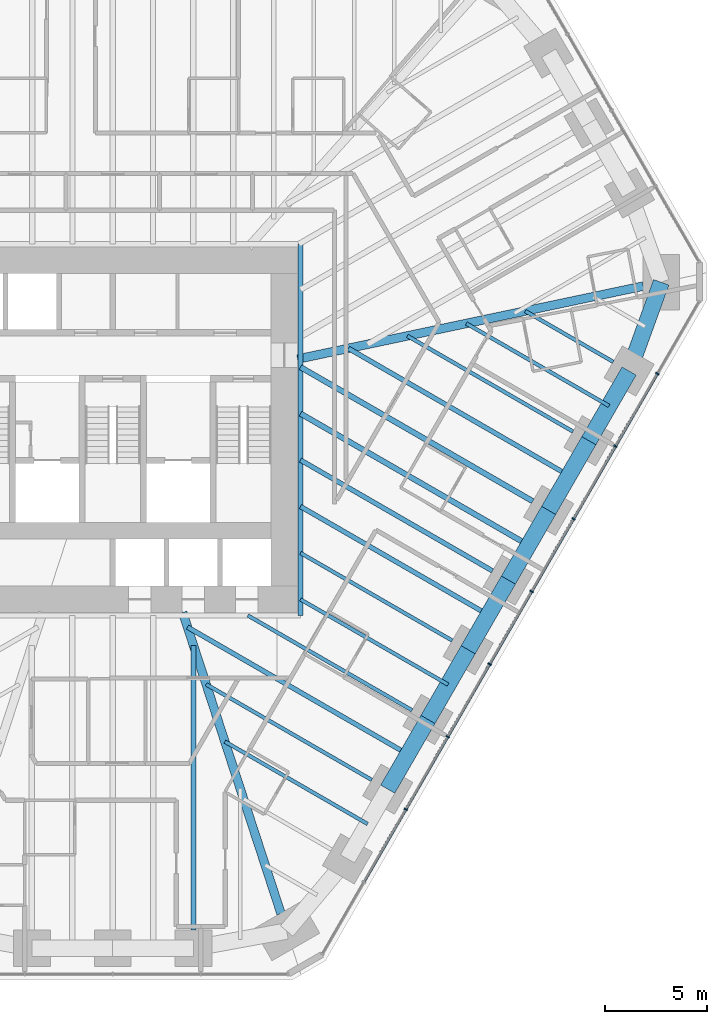
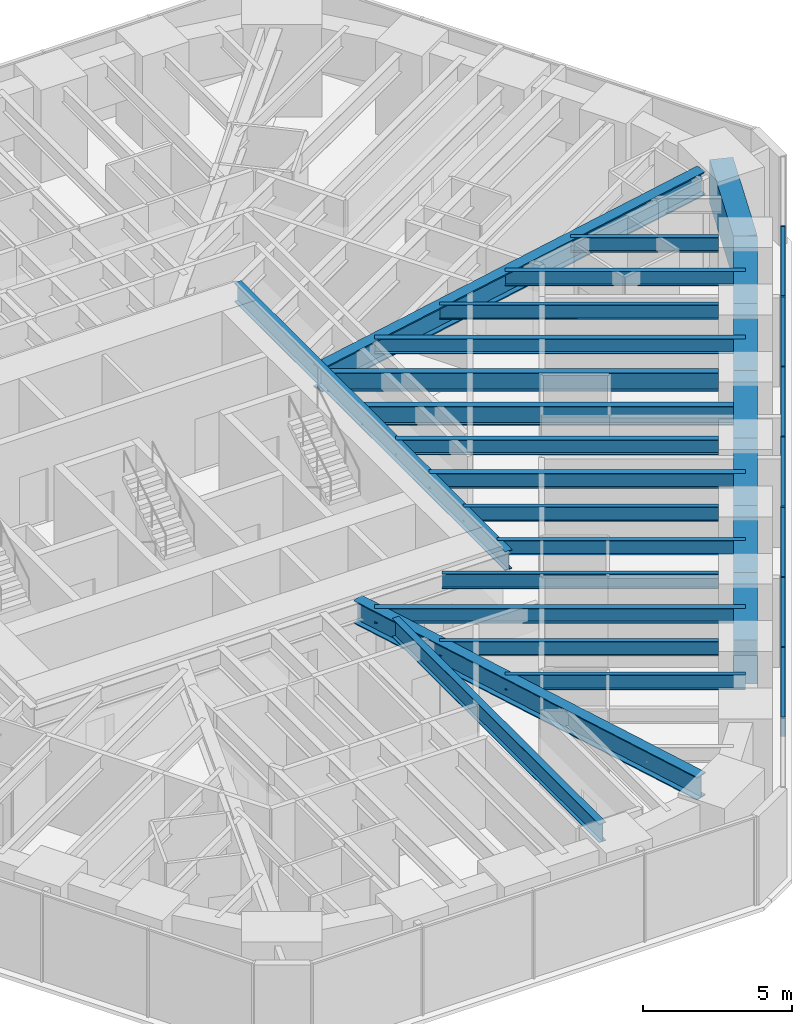
# One storey, part 5 of 17: 25 beams, 14 members, 1 element without a shape of its own.
"""IFC4 building model written with IfcOpenShell, lengths in metres."""

from ifc_helpers import new_model, si_unit, direction, frame, origin, origin_2d, place, context, subcontext, project, spatial, rectangle, i_section, extrude, material, material_profile, profile_set, type_object, element, aggregate, save


model = new_model("IFC4")

# Units and contexts
model_context = context("Model", 3, precision=1e-05, world=origin(), true_north=direction((0.0, 1.0)))
body_context = subcontext(model_context, "Body", "Model", "MODEL_VIEW")
ifc_project = project(units=[si_unit("LENGTHUNIT", "METRE"), si_unit("AREAUNIT", "SQUARE_METRE"), si_unit("VOLUMEUNIT", "CUBIC_METRE"), si_unit("PLANEANGLEUNIT", "RADIAN"), si_unit("MASSUNIT", "GRAM", prefix="KILO")], contexts=[model_context])

# Site, building, storey
site_placement = place(None, origin())
site = spatial("IfcSite", under=ifc_project, at=site_placement, CompositionType="ELEMENT")
building_placement = place(site_placement, origin())
building = spatial("IfcBuilding", under=site, at=building_placement, Name="Sandreach Pilgrim Tower", CompositionType="ELEMENT")
storey_placement = place(building_placement, frame((0.0, 0.0, 123.39990234375)))
storey = spatial("IfcBuildingStorey", under=building, at=storey_placement, Name="L30", CompositionType="ELEMENT", Elevation=123.39990234375)

# Curtain wall, members
ifc_material_1 = material(Name="Aluminium framed curtain wall", Category="aluminium")
curtain_wall_type = type_object("IfcCurtainWallType", Name="Hotel tower curtain wall", PredefinedType="NOTDEFINED", material=ifc_material_1)
curtain_wall_placement = place(storey_placement, origin())
curtain_wall = element("IfcCurtainWall", 1, at=curtain_wall_placement, inside=storey, type_object=curtain_wall_type, Name="CW-2 L30 SE", PredefinedType="NOTDEFINED")
ifc_material_2 = material(Name="Aluminium extrusion", Category="aluminium")
ifc_material_profile_1 = material_profile(ifc_material_2, rectangle(XDim=0.06494140625, YDim=0.179931640625, at=origin_2d()), Name="CW-2M 65X180")
ifc_profile_set_1 = profile_set([ifc_material_profile_1], Name="Aluminium extrusion")
member_type_1 = type_object("IfcMemberType", Name="CW-2 mullion", PredefinedType="MULLION", material=ifc_profile_set_1)
member_1_placement = place(storey_placement, frame((26.66748046875, 1.20166015625, 0.0), z_axis=(0.0, 0.0, 1.0), x_axis=(-0.5, -0.866025403784, 0.0)))
member_1 = element("IfcMember", 2, at=member_1_placement, type_object=member_type_1, Name="CW-2 mullion 2", PredefinedType="MULLION", context=body_context, shape_type="SweptSolid", body=[
    extrude(rectangle(XDim=0.06494140625, YDim=0.179931640625, at=origin_2d()), origin(), (0.0, 0.0, 1.0), 3.64013671875),
])
member_2_placement = place(storey_placement, frame((24.614013671875, -2.35498046875, 0.0), z_axis=(0.0, 0.0, 1.0), x_axis=(-0.5, -0.866025403784, 0.0)))
member_2 = element("IfcMember", 3, at=member_2_placement, type_object=member_type_1, Name="CW-2 mullion 3", PredefinedType="MULLION", context=body_context, shape_type="SweptSolid", body=[
    extrude(rectangle(XDim=0.06494140625, YDim=0.179931640625, at=origin_2d()), origin(), (0.0, 0.0, 1.0), 3.64013671875),
])
member_3_placement = place(storey_placement, frame((22.560302734375, -5.911865234375, 0.0), z_axis=(0.0, 0.0, 1.0), x_axis=(-0.5, -0.866025403784, 0.0)))
member_3 = element("IfcMember", 4, at=member_3_placement, type_object=member_type_1, Name="CW-2 mullion 4", PredefinedType="MULLION", context=body_context, shape_type="SweptSolid", body=[
    extrude(rectangle(XDim=0.06494140625, YDim=0.179931640625, at=origin_2d()), origin(), (0.0, 0.0, 1.0), 3.64013671875),
])
member_4_placement = place(storey_placement, frame((20.5068359375, -9.468505859375, 0.0), z_axis=(0.0, 0.0, 1.0), x_axis=(-0.5, -0.866025403784, 0.0)))
member_4 = element("IfcMember", 5, at=member_4_placement, type_object=member_type_1, Name="CW-2 mullion 5", PredefinedType="MULLION", context=body_context, shape_type="SweptSolid", body=[
    extrude(rectangle(XDim=0.06494140625, YDim=0.179931640625, at=origin_2d()), origin(), (0.0, 0.0, 1.0), 3.64013671875),
])
member_5_placement = place(storey_placement, frame((18.453369140625, -13.025146484375, 0.0), z_axis=(0.0, 0.0, 1.0), x_axis=(-0.5, -0.866025403784, 0.0)))
member_5 = element("IfcMember", 6, at=member_5_placement, type_object=member_type_1, Name="CW-2 mullion 6", PredefinedType="MULLION", context=body_context, shape_type="SweptSolid", body=[
    extrude(rectangle(XDim=0.06494140625, YDim=0.179931640625, at=origin_2d()), origin(), (0.0, 0.0, 1.0), 3.64013671875),
])
member_6_placement = place(storey_placement, frame((16.39990234375, -16.58203125, 0.0), z_axis=(0.0, 0.0, 1.0), x_axis=(-0.5, -0.866025403784, 0.0)))
member_6 = element("IfcMember", 7, at=member_6_placement, type_object=member_type_1, Name="CW-2 mullion 7", PredefinedType="MULLION", context=body_context, shape_type="SweptSolid", body=[
    extrude(rectangle(XDim=0.06494140625, YDim=0.179931640625, at=origin_2d()), origin(), (0.0, 0.0, 1.0), 3.64013671875),
])
member_7_placement = place(storey_placement, frame((14.346435546875, -20.138671875, 0.0), z_axis=(0.0, 0.0, 1.0), x_axis=(-0.5, -0.866025403784, 0.0)))
member_7 = element("IfcMember", 8, at=member_7_placement, type_object=member_type_1, Name="CW-2 mullion 8", PredefinedType="MULLION", context=body_context, shape_type="SweptSolid", body=[
    extrude(rectangle(XDim=0.06494140625, YDim=0.179931640625, at=origin_2d()), origin(), (0.0, 0.0, 1.0), 3.64013671875),
])
ifc_material_3 = material(Name="Aluminium extrusion", Category="aluminium")
ifc_material_profile_2 = material_profile(ifc_material_3, rectangle(XDim=0.139892578125, YDim=0.070068359375, at=origin_2d()), Name="CW-2T 140X70")
ifc_profile_set_2 = profile_set([ifc_material_profile_2], Name="Aluminium extrusion")
member_type_2 = type_object("IfcMemberType", Name="CW-2 transom", PredefinedType="USERDEFINED", material=ifc_profile_set_2)
member_8_placement = place(storey_placement, frame((26.651123046875, 1.173583984375, 3.60498046875), z_axis=(-0.499997818338, -0.866026663364, 0.0), x_axis=(0.866026663364, -0.499997818338, 0.0)))
member_8 = element("IfcMember", 9, at=member_8_placement, type_object=member_type_2, Name="CW-2 head transom 2", ObjectType="TRANSOM", PredefinedType="USERDEFINED", context=body_context, shape_type="SweptSolid", body=[
    extrude(rectangle(XDim=0.139892578125, YDim=0.070068359375, at=origin_2d()), origin(), (0.0, 0.0, 1.0), 4.0419921875),
])
member_9_placement = place(storey_placement, frame((24.59765625, -2.38330078125, 3.60498046875), z_axis=(-0.500023973715, -0.866011562111, 0.0), x_axis=(0.866011562111, -0.500023973715, 0.0)))
member_9 = element("IfcMember", 10, at=member_9_placement, type_object=member_type_2, Name="CW-2 head transom 3", ObjectType="TRANSOM", PredefinedType="USERDEFINED", context=body_context, shape_type="SweptSolid", body=[
    extrude(rectangle(XDim=0.139892578125, YDim=0.070068359375, at=origin_2d()), origin(), (0.0, 0.0, 1.0), 4.041748046875),
])
member_10_placement = place(storey_placement, frame((22.544189453125, -5.93994140625, 3.60498046875), z_axis=(-0.499997818338, -0.866026663364, 0.0), x_axis=(0.866026663364, -0.499997818338, 0.0)))
member_10 = element("IfcMember", 11, at=member_10_placement, type_object=member_type_2, Name="CW-2 head transom 4", ObjectType="TRANSOM", PredefinedType="USERDEFINED", context=body_context, shape_type="SweptSolid", body=[
    extrude(rectangle(XDim=0.139892578125, YDim=0.070068359375, at=origin_2d()), origin(), (0.0, 0.0, 1.0), 4.0419921875),
])
member_11_placement = place(storey_placement, frame((20.49072265625, -9.49658203125, 3.60498046875), z_axis=(-0.499997818338, -0.866026663364, 0.0), x_axis=(0.866026663364, -0.499997818338, 0.0)))
member_11 = element("IfcMember", 12, at=member_11_placement, type_object=member_type_2, Name="CW-2 head transom 5", ObjectType="TRANSOM", PredefinedType="USERDEFINED", context=body_context, shape_type="SweptSolid", body=[
    extrude(rectangle(XDim=0.139892578125, YDim=0.070068359375, at=origin_2d()), origin(), (0.0, 0.0, 1.0), 4.0419921875),
])
member_12_placement = place(storey_placement, frame((18.437255859375, -13.053466796875, 3.60498046875), z_axis=(-0.499997818338, -0.866026663364, 0.0), x_axis=(0.866026663364, -0.499997818338, 0.0)))
member_12 = element("IfcMember", 13, at=member_12_placement, type_object=member_type_2, Name="CW-2 head transom 6", ObjectType="TRANSOM", PredefinedType="USERDEFINED", context=body_context, shape_type="SweptSolid", body=[
    extrude(rectangle(XDim=0.139892578125, YDim=0.070068359375, at=origin_2d()), origin(), (0.0, 0.0, 1.0), 4.0419921875),
])
member_13_placement = place(storey_placement, frame((16.3837890625, -16.610107421875, 3.60498046875), z_axis=(-0.499997818338, -0.866026663364, 0.0), x_axis=(0.866026663364, -0.499997818338, 0.0)))
member_13 = element("IfcMember", 14, at=member_13_placement, type_object=member_type_2, Name="CW-2 head transom 7", ObjectType="TRANSOM", PredefinedType="USERDEFINED", context=body_context, shape_type="SweptSolid", body=[
    extrude(rectangle(XDim=0.139892578125, YDim=0.070068359375, at=origin_2d()), origin(), (0.0, 0.0, 1.0), 4.0419921875),
])
member_14_placement = place(storey_placement, frame((14.330322265625, -20.1669921875, 3.60498046875), z_axis=(-0.500023973715, -0.866011562111, 0.0), x_axis=(0.866011562111, -0.500023973715, 0.0)))
member_14 = element("IfcMember", 15, at=member_14_placement, type_object=member_type_2, Name="CW-2 head transom 8", ObjectType="TRANSOM", PredefinedType="USERDEFINED", context=body_context, shape_type="SweptSolid", body=[
    extrude(rectangle(XDim=0.139892578125, YDim=0.070068359375, at=origin_2d()), origin(), (0.0, 0.0, 1.0), 4.041748046875),
])
aggregate(curtain_wall, [member_1, member_2, member_3, member_4, member_5, member_6, member_7, member_8, member_9, member_10, member_11, member_12, member_13, member_14])

# Beams
ifc_material_4 = material(Name="Steel ASTM A992 Grade 50", Category="steel")
ifc_material_profile_3 = material_profile(ifc_material_4, i_section(OverallWidth=0.2666015625, OverallDepth=0.77978515625, WebThickness=0.0166015625, FlangeThickness=0.030029296875, at=origin_2d()), Name="W30X148")
ifc_profile_set_3 = profile_set([ifc_material_profile_3], Name="Steel ASTM A992 Grade 50")
beam_type_1 = type_object("IfcBeamType", Name="Core edge beam W30X148", PredefinedType="BEAM", material=ifc_profile_set_3)
beam_1_placement = place(storey_placement, frame((9.193359375, 7.54345703125, 3.250244140625), z_axis=(0.0, -1.0, 0.0), x_axis=(1.0, 0.0, 0.0)))
element("IfcBeam", 16, at=beam_1_placement, inside=storey, type_object=beam_type_1, Name="BM L30 CEE", PredefinedType="BEAM", context=body_context, shape_type="SweptSolid", body=[
    extrude(i_section(OverallWidth=0.2666015625, OverallDepth=0.77978515625, WebThickness=0.0166015625, FlangeThickness=0.030029296875, at=origin_2d()), origin(), (0.0, 0.0, 1.0), 18.186767578125),
])
ifc_material_5 = material(Name="Steel ASTM A992 Grade 50", Category="steel")
ifc_material_profile_4 = material_profile(ifc_material_5, i_section(OverallWidth=0.421630859375, OverallDepth=0.937255859375, WebThickness=0.0224609375, FlangeThickness=0.039794921875, at=origin_2d()), Name="W36X282")
ifc_profile_set_4 = profile_set([ifc_material_profile_4], Name="Steel ASTM A992 Grade 50")
beam_type_2 = type_object("IfcBeamType", Name="Corner girder W36X282", PredefinedType="BEAM", material=ifc_profile_set_4)
beam_2_placement = place(storey_placement, frame((8.238525390625, -25.23876953125, 3.17138671875), z_axis=(-0.310307109519, 0.950636364643, 0.0), x_axis=(-0.950636364643, -0.310307109519, 0.0)))
element("IfcBeam", 17, at=beam_2_placement, inside=storey, type_object=beam_type_2, Name="BM L30 CG22", PredefinedType="BEAM", context=body_context, shape_type="SweptSolid", body=[
    extrude(i_section(OverallWidth=0.421630859375, OverallDepth=0.937255859375, WebThickness=0.0224609375, FlangeThickness=0.039794921875, at=origin_2d()), origin(), (0.0, 0.0, 1.0), 15.504150390625),
])
ifc_material_6 = material(Name="Steel ASTM A992 Grade 50", Category="steel")
ifc_material_profile_5 = material_profile(ifc_material_6, i_section(OverallWidth=0.424072265625, OverallDepth=0.965087890625, WebThickness=0.028564453125, FlangeThickness=0.051025390625, at=origin_2d()), Name="W36X361")
ifc_profile_set_5 = profile_set([ifc_material_profile_5], Name="Steel ASTM A992 Grade 50")
beam_type_3 = type_object("IfcBeamType", Name="Corner girder W36X361", PredefinedType="BEAM", material=ifc_profile_set_5)
beam_3_placement = place(storey_placement, frame((25.976806640625, 5.484619140625, 3.157470703125), z_axis=(-0.978427882284, -0.206588671447, 0.0), x_axis=(0.206588671447, -0.978427882284, 0.0)))
element("IfcBeam", 18, at=beam_3_placement, inside=storey, type_object=beam_type_3, Name="BM L30 CG13", PredefinedType="BEAM", context=body_context, shape_type="SweptSolid", body=[
    extrude(i_section(OverallWidth=0.424072265625, OverallDepth=0.965087890625, WebThickness=0.028564453125, FlangeThickness=0.051025390625, at=origin_2d()), origin(), (0.0, 0.0, 1.0), 17.300048828125),
])
ifc_material_7 = material(Name="Steel ASTM A992 Grade 50", Category="steel")
ifc_material_profile_6 = material_profile(ifc_material_7, i_section(OverallWidth=0.1787109375, OverallDepth=0.60205078125, WebThickness=0.010986328125, FlangeThickness=0.014892578125, at=origin_2d()), Name="W24X62")
ifc_profile_set_6 = profile_set([ifc_material_profile_6], Name="Steel ASTM A992 Grade 50")
beam_type_4 = type_object("IfcBeamType", Name="Floor beam W24X62", PredefinedType="BEAM", material=ifc_profile_set_6)
beam_4_placement = place(storey_placement, frame((24.50439453125, 1.775390625, 3.339111328125), z_axis=(-0.866024645457, 0.500001313459, 0.0), x_axis=(-0.500001313459, -0.866024645457, 0.0)))
element("IfcBeam", 19, at=beam_4_placement, inside=storey, type_object=beam_type_4, Name="BM L30 F14", PredefinedType="BEAM", context=body_context, shape_type="SweptSolid", body=[
    extrude(i_section(OverallWidth=0.1787109375, OverallDepth=0.60205078125, WebThickness=0.010986328125, FlangeThickness=0.014892578125, at=origin_2d()), origin(), (0.0, 0.0, 1.0), 4.9765625),
])
beam_5_placement = place(storey_placement, frame((22.534423828125, -1.63671875, 3.339111328125), z_axis=(-0.866012351917, 0.500022605817, 0.0), x_axis=(-0.500022605817, -0.866012351917, 0.0)))
element("IfcBeam", 20, at=beam_5_placement, inside=storey, type_object=beam_type_4, Name="BM L30 F15", PredefinedType="BEAM", context=body_context, shape_type="SweptSolid", body=[
    extrude(i_section(OverallWidth=0.1787109375, OverallDepth=0.60205078125, WebThickness=0.010986328125, FlangeThickness=0.014892578125, at=origin_2d()), origin(), (0.0, 0.0, 1.0), 9.3642578125),
])
beam_6_placement = place(storey_placement, frame((16.62451171875, -11.873046875, 3.339111328125), z_axis=(-0.866017857595, 0.500013070155, 0.0), x_axis=(-0.500013070155, -0.866017857595, 0.0)))
element("IfcBeam", 21, at=beam_6_placement, inside=storey, type_object=beam_type_4, Name="BM L30 F18", PredefinedType="BEAM", context=body_context, shape_type="SweptSolid", body=[
    extrude(i_section(OverallWidth=0.1787109375, OverallDepth=0.60205078125, WebThickness=0.010986328125, FlangeThickness=0.014892578125, at=origin_2d()), origin(), (0.0, 0.0, 1.0), 8.580810546875),
])
beam_7_placement = place(storey_placement, frame((14.654541015625, -15.28515625, 3.339111328125), z_axis=(-0.866015659929, 0.500016876472, 0.0), x_axis=(-0.500016876472, -0.866015659929, 0.0)))
element("IfcBeam", 22, at=beam_7_placement, inside=storey, type_object=beam_type_4, Name="BM L30 F19", PredefinedType="BEAM", context=body_context, shape_type="SweptSolid", body=[
    extrude(i_section(OverallWidth=0.1787109375, OverallDepth=0.60205078125, WebThickness=0.010986328125, FlangeThickness=0.014892578125, at=origin_2d()), origin(), (0.0, 0.0, 1.0), 9.283447265625),
])
beam_8_placement = place(storey_placement, frame((12.6845703125, -18.697265625, 3.339111328125), z_axis=(-0.866012351917, 0.500022605817, 0.0), x_axis=(-0.500022605817, -0.866012351917, 0.0)))
element("IfcBeam", 23, at=beam_8_placement, inside=storey, type_object=beam_type_4, Name="BM L30 F20", PredefinedType="BEAM", context=body_context, shape_type="SweptSolid", body=[
    extrude(i_section(OverallWidth=0.1787109375, OverallDepth=0.60205078125, WebThickness=0.010986328125, FlangeThickness=0.014892578125, at=origin_2d()), origin(), (0.0, 0.0, 1.0), 9.3642578125),
])
beam_9_placement = place(storey_placement, frame((24.298828125, -0.380615234375, 3.339111328125), z_axis=(-0.866022864518, 0.500004398112, 0.0), x_axis=(-0.500004398112, -0.866022864518, 0.0)))
element("IfcBeam", 24, at=beam_9_placement, inside=storey, type_object=beam_type_4, Name="BM L30 FM14", PredefinedType="BEAM", context=body_context, shape_type="SweptSolid", body=[
    extrude(i_section(OverallWidth=0.1787109375, OverallDepth=0.60205078125, WebThickness=0.010986328125, FlangeThickness=0.014892578125, at=origin_2d()), origin(), (0.0, 0.0, 1.0), 8.0703125),
])
beam_10_placement = place(storey_placement, frame((16.4189453125, -14.029052734375, 3.339111328125), z_axis=(-0.866016009309, 0.500016271356, 0.0), x_axis=(-0.500016271356, -0.866016009309, 0.0)))
element("IfcBeam", 25, at=beam_10_placement, inside=storey, type_object=beam_type_4, Name="BM L30 FM18", PredefinedType="BEAM", context=body_context, shape_type="SweptSolid", body=[
    extrude(i_section(OverallWidth=0.1787109375, OverallDepth=0.60205078125, WebThickness=0.010986328125, FlangeThickness=0.014892578125, at=origin_2d()), origin(), (0.0, 0.0, 1.0), 8.343505859375),
])
beam_11_placement = place(storey_placement, frame((12.47900390625, -20.853271484375, 3.339111328125), z_axis=(-0.866017328257, 0.500013986963, 0.0), x_axis=(-0.500013986963, -0.866017328257, 0.0)))
element("IfcBeam", 26, at=beam_11_placement, inside=storey, type_object=beam_type_4, Name="BM L30 FM20", PredefinedType="BEAM", context=body_context, shape_type="SweptSolid", body=[
    extrude(i_section(OverallWidth=0.1787109375, OverallDepth=0.60205078125, WebThickness=0.010986328125, FlangeThickness=0.014892578125, at=origin_2d()), origin(), (0.0, 0.0, 1.0), 8.070556640625),
])
ifc_material_8 = material(Name="Steel ASTM A992 Grade 50", Category="steel")
ifc_material_profile_7 = material_profile(ifc_material_8, i_section(OverallWidth=0.23046875, OverallDepth=0.6171875, WebThickness=0.01318359375, FlangeThickness=0.022216796875, at=origin_2d()), Name="W24X94")
ifc_profile_set_7 = profile_set([ifc_material_profile_7], Name="Steel ASTM A992 Grade 50")
beam_type_5 = type_object("IfcBeamType", Name="Floor beam W24X94", PredefinedType="BEAM", material=ifc_profile_set_7)
beam_12_placement = place(storey_placement, frame((18.594482421875, -8.4609375, 3.33154296875), z_axis=(-0.866015926388, 0.500016414973, 0.0), x_axis=(-0.500016414973, -0.866015926388, 0.0)))
element("IfcBeam", 27, at=beam_12_placement, inside=storey, type_object=beam_type_5, Name="BM L30 F17", PredefinedType="BEAM", context=body_context, shape_type="SweptSolid", body=[
    extrude(i_section(OverallWidth=0.23046875, OverallDepth=0.6171875, WebThickness=0.01318359375, FlangeThickness=0.022216796875, at=origin_2d()), origin(), (0.0, 0.0, 1.0), 10.855712890625),
])
beam_13_placement = place(storey_placement, frame((22.328857421875, -3.792724609375, 3.33154296875), z_axis=(-0.866019150617, 0.500010830648, 0.0), x_axis=(-0.500010830648, -0.866019150617, 0.0)))
element("IfcBeam", 28, at=beam_13_placement, inside=storey, type_object=beam_type_5, Name="BM L30 FM15", PredefinedType="BEAM", context=body_context, shape_type="SweptSolid", body=[
    extrude(i_section(OverallWidth=0.23046875, OverallDepth=0.6171875, WebThickness=0.01318359375, FlangeThickness=0.022216796875, at=origin_2d()), origin(), (0.0, 0.0, 1.0), 12.458251953125),
])
beam_14_placement = place(storey_placement, frame((18.388916015625, -10.616943359375, 3.33154296875), z_axis=(-0.866024387147, 0.500001760863, 0.0), x_axis=(-0.500001760863, -0.866024387147, 0.0)))
element("IfcBeam", 29, at=beam_14_placement, inside=storey, type_object=beam_type_5, Name="BM L30 FM17", PredefinedType="BEAM", context=body_context, shape_type="SweptSolid", body=[
    extrude(i_section(OverallWidth=0.23046875, OverallDepth=0.6171875, WebThickness=0.01318359375, FlangeThickness=0.022216796875, at=origin_2d()), origin(), (0.0, 0.0, 1.0), 10.6181640625),
])
beam_15_placement = place(storey_placement, frame((14.448974609375, -17.441162109375, 3.33154296875), z_axis=(-0.866019150617, 0.500010830648, 0.0), x_axis=(-0.500010830648, -0.866019150617, 0.0)))
element("IfcBeam", 30, at=beam_15_placement, inside=storey, type_object=beam_type_5, Name="BM L30 FM19", PredefinedType="BEAM", context=body_context, shape_type="SweptSolid", body=[
    extrude(i_section(OverallWidth=0.23046875, OverallDepth=0.6171875, WebThickness=0.01318359375, FlangeThickness=0.022216796875, at=origin_2d()), origin(), (0.0, 0.0, 1.0), 12.458251953125),
])
ifc_material_9 = material(Name="Steel ASTM A992 Grade 50", Category="steel")
ifc_material_profile_8 = material_profile(ifc_material_9, i_section(OverallWidth=0.2666015625, OverallDepth=0.761962890625, WebThickness=0.014404296875, FlangeThickness=0.021484375, at=origin_2d()), Name="W30X116")
ifc_profile_set_8 = profile_set([ifc_material_profile_8], Name="Steel ASTM A992 Grade 50")
beam_type_6 = type_object("IfcBeamType", Name="Floor beam W30X116", PredefinedType="BEAM", material=ifc_profile_set_8)
beam_16_placement = place(storey_placement, frame((20.564453125, -5.048828125, 3.259033203125), z_axis=(-0.866022715736, 0.500004655807, 0.0), x_axis=(-0.500004655807, -0.866022715736, 0.0)))
element("IfcBeam", 31, at=beam_16_placement, inside=storey, type_object=beam_type_6, Name="BM L30 F16", PredefinedType="BEAM", context=body_context, shape_type="SweptSolid", body=[
    extrude(i_section(OverallWidth=0.2666015625, OverallDepth=0.761962890625, WebThickness=0.014404296875, FlangeThickness=0.021484375, at=origin_2d()), origin(), (0.0, 0.0, 1.0), 13.130126953125),
])
beam_17_placement = place(storey_placement, frame((3.955322265625, -26.0322265625, 3.259033203125), z_axis=(0.0, 1.0, 0.0), x_axis=(-1.0, 0.0, 0.0)))
element("IfcBeam", 32, at=beam_17_placement, inside=storey, type_object=beam_type_6, Name="BM L30 F23", PredefinedType="BEAM", context=body_context, shape_type="SweptSolid", body=[
    extrude(i_section(OverallWidth=0.2666015625, OverallDepth=0.761962890625, WebThickness=0.014404296875, FlangeThickness=0.021484375, at=origin_2d()), origin(), (0.0, 0.0, 1.0), 13.91552734375),
])
beam_18_placement = place(storey_placement, frame((20.35888671875, -7.204833984375, 3.259033203125), z_axis=(-0.866021609098, 0.500006572533, 0.0), x_axis=(-0.500006572533, -0.866021609098, 0.0)))
element("IfcBeam", 33, at=beam_18_placement, inside=storey, type_object=beam_type_6, Name="BM L30 FM16", PredefinedType="BEAM", context=body_context, shape_type="SweptSolid", body=[
    extrude(i_section(OverallWidth=0.2666015625, OverallDepth=0.761962890625, WebThickness=0.014404296875, FlangeThickness=0.021484375, at=origin_2d()), origin(), (0.0, 0.0, 1.0), 12.892822265625),
])
ifc_material_10 = material(Name="Concrete 10000 psi", Category="concrete")
ifc_material_profile_9 = material_profile(ifc_material_10, rectangle(XDim=0.800048828125, YDim=1.800048828125, at=origin_2d()), Name="RC800X1800")
ifc_profile_set_9 = profile_set([ifc_material_profile_9], Name="Concrete 10000 psi")
beam_type_7 = type_object("IfcBeamType", Name="Spandrel beam RC800X1800", PredefinedType="SPANDREL", material=ifc_profile_set_9)
beam_19_placement = place(storey_placement, frame((26.857177734375, 5.67041015625, 2.739990234375), z_axis=(-0.340453163563, -0.940261476091, 0.0), x_axis=(0.940261476091, -0.340453163563, 0.0)))
element("IfcBeam", 34, at=beam_19_placement, inside=storey, type_object=beam_type_7, Name="BM L30 SP13", PredefinedType="SPANDREL", context=body_context, shape_type="SweptSolid", body=[
    extrude(rectangle(XDim=0.800048828125, YDim=1.800048828125, at=origin_2d()), origin(), (0.0, 0.0, 1.0), 4.62109375),
])
for number, where, z_axis, x_axis, name in (
    (35, (25.283935546875, 1.325439453125, 2.739990234375), (-0.49999779889, -0.866026674592, 0.0), (0.866026674592, -0.49999779889, 0.0), "BM L30 SP14"),
    (36, (23.31396484375, -2.086669921875, 2.739990234375), (-0.49999779889, -0.866026674592, 0.0), (0.866026674592, -0.49999779889, 0.0), "BM L30 SP15"),
    (37, (21.343994140625, -5.498779296875, 2.739990234375), (-0.49999779889, -0.866026674592, 0.0), (0.866026674592, -0.49999779889, 0.0), "BM L30 SP16"),
    (38, (19.3740234375, -8.910888671875, 2.739990234375), (-0.49999779889, -0.866026674592, 0.0), (0.866026674592, -0.49999779889, 0.0), "BM L30 SP17"),
    (39, (17.404052734375, -12.322998046875, 2.739990234375), (-0.49999779889, -0.866026674592, 0.0), (0.866026674592, -0.49999779889, 0.0), "BM L30 SP18"),
    (40, (15.43408203125, -15.735107421875, 2.739990234375), (-0.49999779889, -0.866026674592, 0.0), (0.866026674592, -0.49999779889, 0.0), "BM L30 SP19"),
):
    element("IfcBeam", number, at=place(storey_placement, frame(where, z_axis=z_axis, x_axis=x_axis)), inside=storey, type_object=beam_type_7, Name=name, PredefinedType="SPANDREL", context=body_context, shape_type="SweptSolid", body=[
        extrude(rectangle(XDim=0.800048828125, YDim=1.800048828125, at=origin_2d()), origin(), (0.0, 0.0, 1.0), 3.93994140625),
    ])

save(model, "model.ifc")
